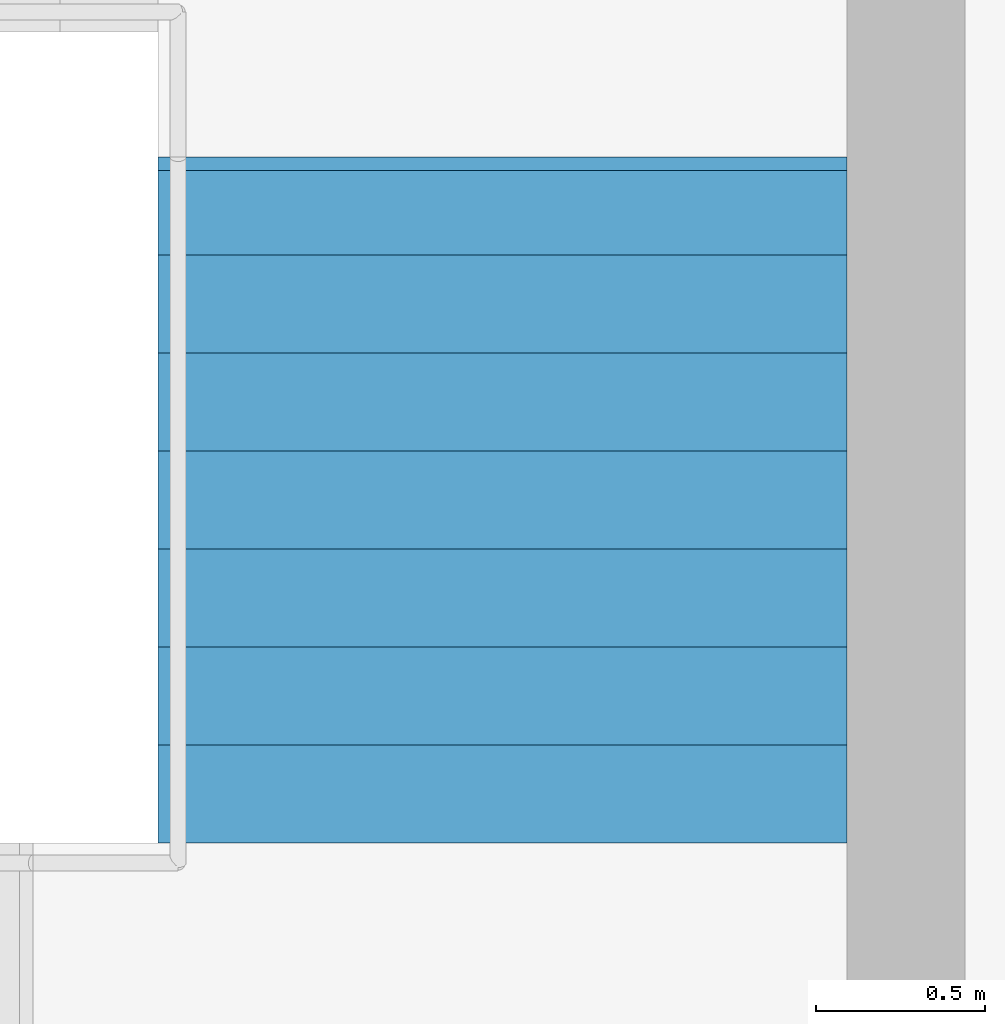
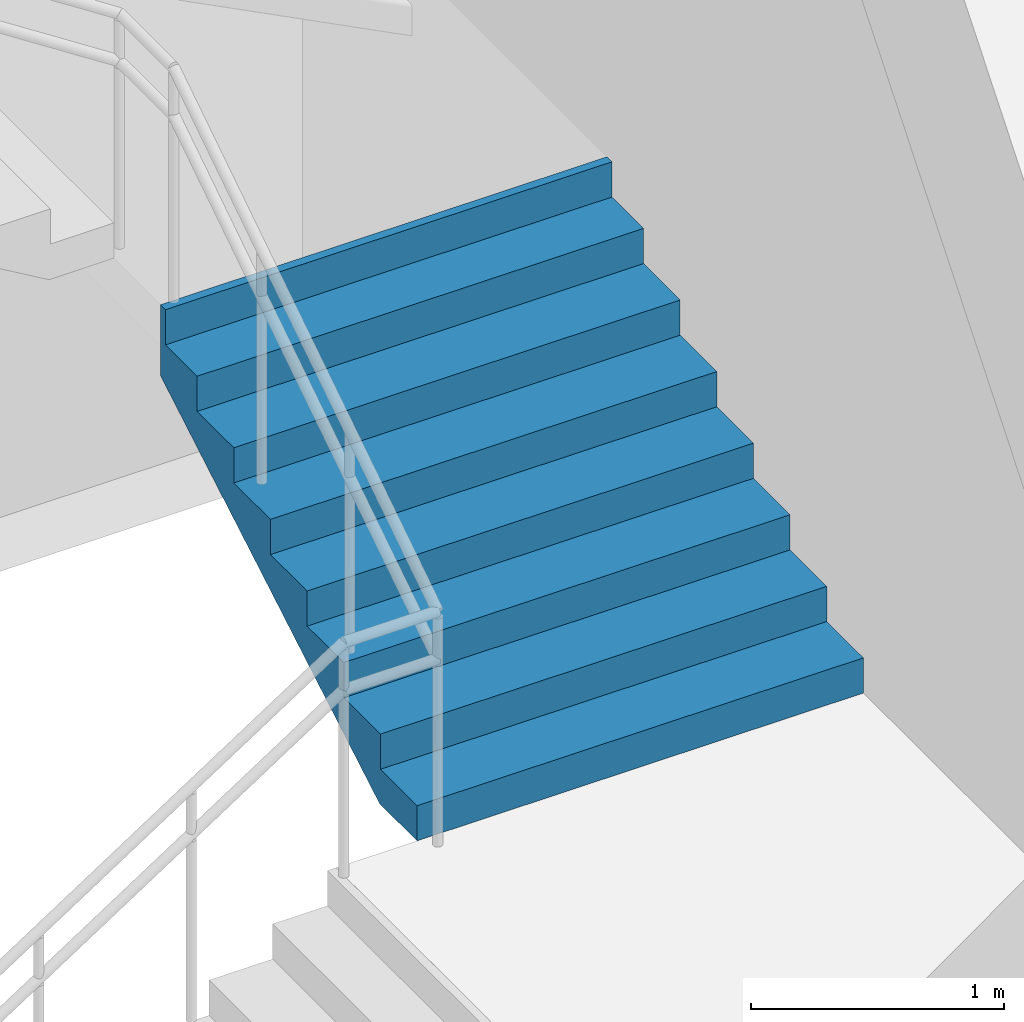
# One storey, part 52 of 74: 1 stair flight, 1 element without a shape of its own.
"""IFC4 building model written with IfcOpenShell, lengths in metres."""

from ifc_helpers import new_model, si_unit, direction, frame, origin, place, context, subcontext, project, spatial, triangles, material, type_object, element, aggregate, save


model = new_model("IFC4")

# Units and contexts
model_context = context("Model", 3, precision=1e-05, world=origin(), true_north=direction((0.0, 1.0)))
body_context = subcontext(model_context, "Body", "Model", "MODEL_VIEW")
ifc_project = project(units=[si_unit("LENGTHUNIT", "METRE"), si_unit("AREAUNIT", "SQUARE_METRE"), si_unit("VOLUMEUNIT", "CUBIC_METRE"), si_unit("PLANEANGLEUNIT", "RADIAN"), si_unit("MASSUNIT", "GRAM", prefix="KILO")], contexts=[model_context])

# Site, building, storey
site_placement = place(None, origin())
site = spatial("IfcSite", under=ifc_project, at=site_placement, CompositionType="ELEMENT")
building_placement = place(site_placement, origin())
building = spatial("IfcBuilding", under=site, at=building_placement, Name="Sillaruma Civic Art Gallery", CompositionType="ELEMENT")
storey_placement = place(building_placement, frame((0.0, 0.0, 5.43994140625)))
storey = spatial("IfcBuildingStorey", under=building, at=storey_placement, Name="L01", CompositionType="ELEMENT", Elevation=5.43994140625)

# Stair, stair flight
ifc_material = material(Name="Concrete H35 (35 MPa)", Category="concrete")
stair_type = type_object("IfcStairType", Name="STR-4F-32", PredefinedType="USERDEFINED", material=ifc_material)
stair_placement = place(storey_placement, origin())
stair = element("IfcStair", 1, at=stair_placement, inside=storey, type_object=stair_type, Name="Protected Exit Stair ST-03 (West Bar South) (L01)", ObjectType="THREE_RETURN_STAIR", PredefinedType="USERDEFINED")
stair_flight_type = type_object("IfcStairFlightType", Name="SFL-STR-8", PredefinedType="STRAIGHT", material=ifc_material)
stair_flight_placement = place(storey_placement, frame((68.219970703125, 33.449951171875, 1.360107421875), z_axis=(0.0, 0.0, 1.0), x_axis=(0.0, 1.0, 0.0)))
stair_flight = element("IfcStairFlight", 2, at=stair_flight_placement, type_object=stair_flight_type, Name="ST-03 flight 2", NumberOfRisers=8, NumberOfTreads=7, PredefinedType="STRAIGHT", RiserHeight=0.17, TreadLength=0.29, context=body_context, shape_type="Tessellation", body=[
    triangles([(0.0, -1.02001953125, 0.0), (0.29, -1.02001953125, 0.0), (0.296443, -1.02001953125, 0.0), (0.58, -1.02001953125, 0.166223), (0.87, -1.02001953125, 0.336223), (1.16, -1.02001953125, 0.506223), (1.45, -1.02001953125, 0.676223), (1.74, -1.02001953125, 0.846223), (1.990029, -1.02001953125, 0.992792), (2.030029, -1.02001953125, 1.01624), (2.030029, -1.02001953125, 1.36), (1.990029, -1.02001953125, 1.36), (1.990029, -1.02001953125, 1.19), (1.74, -1.02001953125, 1.19), (1.74, -1.02001953125, 1.02), (1.45, -1.02001953125, 1.02), (1.45, -1.02001953125, 0.85), (1.16, -1.02001953125, 0.85), (1.16, -1.02001953125, 0.68), (0.87, -1.02001953125, 0.68), (0.87, -1.02001953125, 0.51), (0.58, -1.02001953125, 0.51), (0.58, -1.02001953125, 0.34), (0.296443, -1.02001953125, 0.34), (0.29, -1.02001953125, 0.34), (0.29, -1.02001953125, 0.17), (0.0, -1.02001953125, 0.17), (0.0, -0.05, 0.0), (0.29, -0.05, 0.0), (0.296443, -0.05, 0.0), (0.58, -0.05, 0.166223), (0.87, -0.05, 0.336223), (1.16, -0.05, 0.506223), (1.45, -0.05, 0.676223), (1.74, -0.05, 0.846223), (1.990029, -0.05, 0.992792), (2.030029, -0.05, 1.01624), (2.030029, -0.05, 1.36), (1.990029, -0.05, 1.36), (1.990029, -0.05, 1.19), (1.74, -0.05, 1.19), (1.74, -0.05, 1.02), (1.45, -0.05, 1.02), (1.45, -0.05, 0.85), (1.16, -0.05, 0.85), (1.16, -0.05, 0.68), (0.87, -0.05, 0.68), (0.87, -0.05, 0.51), (0.58, -0.05, 0.51), (0.58, -0.05, 0.34), (0.296443, -0.05, 0.34), (0.29, -0.05, 0.34), (0.29, -0.05, 0.17), (0.0, -0.05, 0.17), (0.0, -0.0375, 0.0), (0.29, -0.0375, 0.0), (0.296443, -0.0375, 0.0), (0.58, -0.0375, 0.166223), (0.87, -0.0375, 0.336223), (1.16, -0.0375, 0.506223), (1.45, -0.0375, 0.676223), (1.74, -0.0375, 0.846223), (1.990029, -0.0375, 0.992792), (2.030029, -0.0375, 1.01624), (2.030029, -0.0375, 1.36), (1.990029, -0.0375, 1.36), (1.990029, -0.0375, 1.19), (1.74, -0.0375, 1.19), (1.74, -0.0375, 1.02), (1.45, -0.0375, 1.02), (1.45, -0.0375, 0.85), (1.16, -0.0375, 0.85), (1.16, -0.0375, 0.68), (0.87, -0.0375, 0.68), (0.87, -0.0375, 0.51), (0.58, -0.0375, 0.51), (0.58, -0.0375, 0.34), (0.296443, -0.0375, 0.34), (0.29, -0.0375, 0.34), (0.29, -0.0375, 0.17), (0.0, -0.0375, 0.17), (0.0, -0.025, 0.0), (0.29, -0.025, 0.0), (0.296443, -0.025, 0.0), (0.58, -0.025, 0.166223), (0.87, -0.025, 0.336223), (1.16, -0.025, 0.506223), (1.45, -0.025, 0.676223), (1.74, -0.025, 0.846223), (1.990029, -0.025, 0.992792), (2.030029, -0.025, 1.01624), (2.030029, -0.025, 1.36), (1.990029, -0.025, 1.36), (1.990029, -0.025, 1.19), (1.74, -0.025, 1.19), (1.74, -0.025, 1.02), (1.45, -0.025, 1.02), (1.45, -0.025, 0.85), (1.16, -0.025, 0.85), (1.16, -0.025, 0.68), (0.87, -0.025, 0.68), (0.87, -0.025, 0.51), (0.58, -0.025, 0.51), (0.58, -0.025, 0.34), (0.296443, -0.025, 0.34), (0.29, -0.025, 0.34), (0.29, -0.025, 0.17), (0.0, -0.025, 0.17), (0.0, -0.0125, 0.0), (0.29, -0.0125, 0.0), (0.296443, -0.0125, 0.0), (0.58, -0.0125, 0.166223), (0.87, -0.0125, 0.336223), (1.16, -0.0125, 0.506223), (1.45, -0.0125, 0.676223), (1.74, -0.0125, 0.846223), (1.990029, -0.0125, 0.992792), (2.030029, -0.0125, 1.01624), (2.030029, -0.0125, 1.36), (1.990029, -0.0125, 1.36), (1.990029, -0.0125, 1.19), (1.74, -0.0125, 1.19), (1.74, -0.0125, 1.02), (1.45, -0.0125, 1.02), (1.45, -0.0125, 0.85), (1.16, -0.0125, 0.85), (1.16, -0.0125, 0.68), (0.87, -0.0125, 0.68), (0.87, -0.0125, 0.51), (0.58, -0.0125, 0.51), (0.58, -0.0125, 0.34), (0.296443, -0.0125, 0.34), (0.29, -0.0125, 0.34), (0.29, -0.0125, 0.17), (0.0, -0.0125, 0.17), (0.0, 0.0, 0.0), (0.29, 0.0, 0.0), (0.296443, 0.0, 0.0), (0.58, 0.0, 0.166223), (0.87, 0.0, 0.336223), (1.16, 0.0, 0.506223), (1.45, 0.0, 0.676223), (1.74, 0.0, 0.846223), (1.990029, 0.0, 0.992792), (2.030029, 0.0, 1.01624), (2.030029, 0.0, 1.36), (1.990029, 0.0, 1.36), (1.990029, 0.0, 1.19), (1.74, 0.0, 1.19), (1.74, 0.0, 1.02), (1.45, 0.0, 1.02), (1.45, 0.0, 0.85), (1.16, 0.0, 0.85), (1.16, 0.0, 0.68), (0.87, 0.0, 0.68), (0.87, 0.0, 0.51), (0.58, 0.0, 0.51), (0.58, 0.0, 0.34), (0.296443, 0.0, 0.34), (0.29, 0.0, 0.34), (0.29, 0.0, 0.17), (0.0, 0.0, 0.17), (0.0, 0.0125, 0.0), (0.29, 0.0125, 0.0), (0.296443, 0.0125, 0.0), (0.58, 0.0125, 0.166223), (0.87, 0.0125, 0.336223), (1.16, 0.0125, 0.506223), (1.45, 0.0125, 0.676223), (1.74, 0.0125, 0.846223), (1.990029, 0.0125, 0.992792), (2.030029, 0.0125, 1.01624), (2.030029, 0.0125, 1.36), (1.990029, 0.0125, 1.36), (1.990029, 0.0125, 1.19), (1.74, 0.0125, 1.19), (1.74, 0.0125, 1.02), (1.45, 0.0125, 1.02), (1.45, 0.0125, 0.85), (1.16, 0.0125, 0.85), (1.16, 0.0125, 0.68), (0.87, 0.0125, 0.68), (0.87, 0.0125, 0.51), (0.58, 0.0125, 0.51), (0.58, 0.0125, 0.34), (0.296443, 0.0125, 0.34), (0.29, 0.0125, 0.34), (0.29, 0.0125, 0.17), (0.0, 0.0125, 0.17), (0.0, 0.025, 0.0), (0.29, 0.025, 0.0), (0.296443, 0.025, 0.0), (0.58, 0.025, 0.166223), (0.87, 0.025, 0.336223), (1.16, 0.025, 0.506223), (1.45, 0.025, 0.676223), (1.74, 0.025, 0.846223), (1.990029, 0.025, 0.992792), (2.030029, 0.025, 1.01624), (2.030029, 0.025, 1.36), (1.990029, 0.025, 1.36), (1.990029, 0.025, 1.19), (1.74, 0.025, 1.19), (1.74, 0.025, 1.02), (1.45, 0.025, 1.02), (1.45, 0.025, 0.85), (1.16, 0.025, 0.85), (1.16, 0.025, 0.68), (0.87, 0.025, 0.68), (0.87, 0.025, 0.51), (0.58, 0.025, 0.51), (0.58, 0.025, 0.34), (0.296443, 0.025, 0.34), (0.29, 0.025, 0.34), (0.29, 0.025, 0.17), (0.0, 0.025, 0.17), (0.0, 0.0375, 0.0), (0.29, 0.0375, 0.0), (0.296443, 0.0375, 0.0), (0.58, 0.0375, 0.166223), (0.87, 0.0375, 0.336223), (1.16, 0.0375, 0.506223), (1.45, 0.0375, 0.676223), (1.74, 0.0375, 0.846223), (1.990029, 0.0375, 0.992792), (2.030029, 0.0375, 1.01624), (2.030029, 0.0375, 1.36), (1.990029, 0.0375, 1.36), (1.990029, 0.0375, 1.19), (1.74, 0.0375, 1.19), (1.74, 0.0375, 1.02), (1.45, 0.0375, 1.02), (1.45, 0.0375, 0.85), (1.16, 0.0375, 0.85), (1.16, 0.0375, 0.68), (0.87, 0.0375, 0.68), (0.87, 0.0375, 0.51), (0.58, 0.0375, 0.51), (0.58, 0.0375, 0.34), (0.296443, 0.0375, 0.34), (0.29, 0.0375, 0.34), (0.29, 0.0375, 0.17), (0.0, 0.0375, 0.17), (0.0, 0.05, 0.0), (0.29, 0.05, 0.0), (0.296443, 0.05, 0.0), (0.58, 0.05, 0.166223), (0.87, 0.05, 0.336223), (1.16, 0.05, 0.506223), (1.45, 0.05, 0.676223), (1.74, 0.05, 0.846223), (1.990029, 0.05, 0.992792), (2.030029, 0.05, 1.01624), (2.030029, 0.05, 1.36), (1.990029, 0.05, 1.36), (1.990029, 0.05, 1.19), (1.74, 0.05, 1.19), (1.74, 0.05, 1.02), (1.45, 0.05, 1.02), (1.45, 0.05, 0.85), (1.16, 0.05, 0.85), (1.16, 0.05, 0.68), (0.87, 0.05, 0.68), (0.87, 0.05, 0.51), (0.58, 0.05, 0.51), (0.58, 0.05, 0.34), (0.296443, 0.05, 0.34), (0.29, 0.05, 0.34), (0.29, 0.05, 0.17), (0.0, 0.05, 0.17), (0.0, 1.02001953125, 0.0), (0.29, 1.02001953125, 0.0), (0.296443, 1.02001953125, 0.0), (0.58, 1.02001953125, 0.166223), (0.87, 1.02001953125, 0.336223), (1.16, 1.02001953125, 0.506223), (1.45, 1.02001953125, 0.676223), (1.74, 1.02001953125, 0.846223), (1.990029, 1.02001953125, 0.992792), (2.030029, 1.02001953125, 1.01624), (2.030029, 1.02001953125, 1.36), (1.990029, 1.02001953125, 1.36), (1.990029, 1.02001953125, 1.19), (1.74, 1.02001953125, 1.19), (1.74, 1.02001953125, 1.02), (1.45, 1.02001953125, 1.02), (1.45, 1.02001953125, 0.85), (1.16, 1.02001953125, 0.85), (1.16, 1.02001953125, 0.68), (0.87, 1.02001953125, 0.68), (0.87, 1.02001953125, 0.51), (0.58, 1.02001953125, 0.51), (0.58, 1.02001953125, 0.34), (0.296443, 1.02001953125, 0.34), (0.29, 1.02001953125, 0.34), (0.29, 1.02001953125, 0.17), (0.0, 1.02001953125, 0.17)], [[1, 2, 26], [1, 26, 27], [2, 3, 24], [2, 24, 26], [26, 24, 25], [3, 4, 23], [3, 23, 24], [4, 5, 21], [4, 21, 23], [23, 21, 22], [5, 6, 19], [5, 19, 21], [21, 19, 20], [6, 7, 17], [6, 17, 19], [19, 17, 18], [7, 8, 15], [7, 15, 17], [17, 15, 16], [8, 9, 13], [8, 13, 15], [15, 13, 14], [9, 10, 11], [9, 11, 13], [13, 11, 12], [296, 272, 271], [297, 296, 271], [294, 273, 272], [296, 294, 272], [295, 294, 296], [293, 274, 273], [294, 293, 273], [291, 275, 274], [293, 291, 274], [292, 291, 293], [289, 276, 275], [291, 289, 275], [290, 289, 291], [287, 277, 276], [289, 287, 276], [288, 287, 289], [285, 278, 277], [287, 285, 277], [286, 285, 287], [283, 279, 278], [285, 283, 278], [284, 283, 285], [281, 280, 279], [283, 281, 279], [282, 281, 283], [2, 1, 28], [2, 28, 29], [3, 2, 29], [3, 29, 30], [4, 3, 30], [4, 30, 31], [5, 4, 31], [5, 31, 32], [6, 5, 32], [6, 32, 33], [7, 6, 33], [7, 33, 34], [8, 7, 34], [8, 34, 35], [9, 8, 35], [9, 35, 36], [10, 9, 36], [10, 36, 37], [11, 10, 37], [11, 37, 38], [12, 11, 38], [12, 38, 39], [13, 12, 39], [13, 39, 40], [14, 13, 40], [14, 40, 41], [15, 14, 41], [15, 41, 42], [16, 15, 42], [16, 42, 43], [17, 16, 43], [17, 43, 44], [18, 17, 44], [18, 44, 45], [19, 18, 45], [19, 45, 46], [20, 19, 46], [20, 46, 47], [21, 20, 47], [21, 47, 48], [22, 21, 48], [22, 48, 49], [23, 22, 49], [23, 49, 50], [24, 23, 50], [24, 50, 51], [25, 24, 51], [25, 51, 52], [26, 25, 52], [26, 52, 53], [27, 26, 53], [27, 53, 54], [1, 27, 54], [1, 54, 28], [29, 28, 55], [29, 55, 56], [30, 29, 56], [30, 56, 57], [31, 30, 57], [31, 57, 58], [32, 31, 58], [32, 58, 59], [33, 32, 59], [33, 59, 60], [34, 33, 60], [34, 60, 61], [35, 34, 61], [35, 61, 62], [36, 35, 62], [36, 62, 63], [37, 36, 63], [37, 63, 64], [38, 37, 64], [38, 64, 65], [39, 38, 65], [39, 65, 66], [40, 39, 66], [40, 66, 67], [41, 40, 67], [41, 67, 68], [42, 41, 68], [42, 68, 69], [43, 42, 69], [43, 69, 70], [44, 43, 70], [44, 70, 71], [45, 44, 71], [45, 71, 72], [46, 45, 72], [46, 72, 73], [47, 46, 73], [47, 73, 74], [48, 47, 74], [48, 74, 75], [49, 48, 75], [49, 75, 76], [50, 49, 76], [50, 76, 77], [51, 50, 77], [51, 77, 78], [52, 51, 78], [52, 78, 79], [53, 52, 79], [53, 79, 80], [54, 53, 80], [54, 80, 81], [28, 54, 81], [28, 81, 55], [56, 55, 82], [56, 82, 83], [57, 56, 83], [57, 83, 84], [58, 57, 84], [58, 84, 85], [59, 58, 85], [59, 85, 86], [60, 59, 86], [60, 86, 87], [61, 60, 87], [61, 87, 88], [62, 61, 88], [62, 88, 89], [63, 62, 89], [63, 89, 90], [64, 63, 90], [64, 90, 91], [65, 64, 91], [65, 91, 92], [66, 65, 92], [66, 92, 93], [67, 66, 93], [67, 93, 94], [68, 67, 94], [68, 94, 95], [69, 68, 95], [69, 95, 96], [70, 69, 96], [70, 96, 97], [71, 70, 97], [71, 97, 98], [72, 71, 98], [72, 98, 99], [73, 72, 99], [73, 99, 100], [74, 73, 100], [74, 100, 101], [75, 74, 101], [75, 101, 102], [76, 75, 102], [76, 102, 103], [77, 76, 103], [77, 103, 104], [78, 77, 104], [78, 104, 105], [79, 78, 105], [79, 105, 106], [80, 79, 106], [80, 106, 107], [81, 80, 107], [81, 107, 108], [55, 81, 108], [55, 108, 82], [83, 82, 109], [83, 109, 110], [84, 83, 110], [84, 110, 111], [85, 84, 111], [85, 111, 112], [86, 85, 112], [86, 112, 113], [87, 86, 113], [87, 113, 114], [88, 87, 114], [88, 114, 115], [89, 88, 115], [89, 115, 116], [90, 89, 116], [90, 116, 117], [91, 90, 117], [91, 117, 118], [92, 91, 118], [92, 118, 119], [93, 92, 119], [93, 119, 120], [94, 93, 120], [94, 120, 121], [95, 94, 121], [95, 121, 122], [96, 95, 122], [96, 122, 123], [97, 96, 123], [97, 123, 124], [98, 97, 124], [98, 124, 125], [99, 98, 125], [99, 125, 126], [100, 99, 126], [100, 126, 127], [101, 100, 127], [101, 127, 128], [102, 101, 128], [102, 128, 129], [103, 102, 129], [103, 129, 130], [104, 103, 130], [104, 130, 131], [105, 104, 131], [105, 131, 132], [106, 105, 132], [106, 132, 133], [107, 106, 133], [107, 133, 134], [108, 107, 134], [108, 134, 135], [82, 108, 135], [82, 135, 109], [110, 109, 136], [110, 136, 137], [111, 110, 137], [111, 137, 138], [112, 111, 138], [112, 138, 139], [113, 112, 139], [113, 139, 140], [114, 113, 140], [114, 140, 141], [115, 114, 141], [115, 141, 142], [116, 115, 142], [116, 142, 143], [117, 116, 143], [117, 143, 144], [118, 117, 144], [118, 144, 145], [119, 118, 145], [119, 145, 146], [120, 119, 146], [120, 146, 147], [121, 120, 147], [121, 147, 148], [122, 121, 148], [122, 148, 149], [123, 122, 149], [123, 149, 150], [124, 123, 150], [124, 150, 151], [125, 124, 151], [125, 151, 152], [126, 125, 152], [126, 152, 153], [127, 126, 153], [127, 153, 154], [128, 127, 154], [128, 154, 155], [129, 128, 155], [129, 155, 156], [130, 129, 156], [130, 156, 157], [131, 130, 157], [131, 157, 158], [132, 131, 158], [132, 158, 159], [133, 132, 159], [133, 159, 160], [134, 133, 160], [134, 160, 161], [135, 134, 161], [135, 161, 162], [109, 135, 162], [109, 162, 136], [137, 136, 163], [137, 163, 164], [138, 137, 164], [138, 164, 165], [139, 138, 165], [139, 165, 166], [140, 139, 166], [140, 166, 167], [141, 140, 167], [141, 167, 168], [142, 141, 168], [142, 168, 169], [143, 142, 169], [143, 169, 170], [144, 143, 170], [144, 170, 171], [145, 144, 171], [145, 171, 172], [146, 145, 172], [146, 172, 173], [147, 146, 173], [147, 173, 174], [148, 147, 174], [148, 174, 175], [149, 148, 175], [149, 175, 176], [150, 149, 176], [150, 176, 177], [151, 150, 177], [151, 177, 178], [152, 151, 178], [152, 178, 179], [153, 152, 179], [153, 179, 180], [154, 153, 180], [154, 180, 181], [155, 154, 181], [155, 181, 182], [156, 155, 182], [156, 182, 183], [157, 156, 183], [157, 183, 184], [158, 157, 184], [158, 184, 185], [159, 158, 185], [159, 185, 186], [160, 159, 186], [160, 186, 187], [161, 160, 187], [161, 187, 188], [162, 161, 188], [162, 188, 189], [136, 162, 189], [136, 189, 163], [164, 163, 190], [164, 190, 191], [165, 164, 191], [165, 191, 192], [166, 165, 192], [166, 192, 193], [167, 166, 193], [167, 193, 194], [168, 167, 194], [168, 194, 195], [169, 168, 195], [169, 195, 196], [170, 169, 196], [170, 196, 197], [171, 170, 197], [171, 197, 198], [172, 171, 198], [172, 198, 199], [173, 172, 199], [173, 199, 200], [174, 173, 200], [174, 200, 201], [175, 174, 201], [175, 201, 202], [176, 175, 202], [176, 202, 203], [177, 176, 203], [177, 203, 204], [178, 177, 204], [178, 204, 205], [179, 178, 205], [179, 205, 206], [180, 179, 206], [180, 206, 207], [181, 180, 207], [181, 207, 208], [182, 181, 208], [182, 208, 209], [183, 182, 209], [183, 209, 210], [184, 183, 210], [184, 210, 211], [185, 184, 211], [185, 211, 212], [186, 185, 212], [186, 212, 213], [187, 186, 213], [187, 213, 214], [188, 187, 214], [188, 214, 215], [189, 188, 215], [189, 215, 216], [163, 189, 216], [163, 216, 190], [191, 190, 217], [191, 217, 218], [192, 191, 218], [192, 218, 219], [193, 192, 219], [193, 219, 220], [194, 193, 220], [194, 220, 221], [195, 194, 221], [195, 221, 222], [196, 195, 222], [196, 222, 223], [197, 196, 223], [197, 223, 224], [198, 197, 224], [198, 224, 225], [199, 198, 225], [199, 225, 226], [200, 199, 226], [200, 226, 227], [201, 200, 227], [201, 227, 228], [202, 201, 228], [202, 228, 229], [203, 202, 229], [203, 229, 230], [204, 203, 230], [204, 230, 231], [205, 204, 231], [205, 231, 232], [206, 205, 232], [206, 232, 233], [207, 206, 233], [207, 233, 234], [208, 207, 234], [208, 234, 235], [209, 208, 235], [209, 235, 236], [210, 209, 236], [210, 236, 237], [211, 210, 237], [211, 237, 238], [212, 211, 238], [212, 238, 239], [213, 212, 239], [213, 239, 240], [214, 213, 240], [214, 240, 241], [215, 214, 241], [215, 241, 242], [216, 215, 242], [216, 242, 243], [190, 216, 243], [190, 243, 217], [218, 217, 244], [218, 244, 245], [219, 218, 245], [219, 245, 246], [220, 219, 246], [220, 246, 247], [221, 220, 247], [221, 247, 248], [222, 221, 248], [222, 248, 249], [223, 222, 249], [223, 249, 250], [224, 223, 250], [224, 250, 251], [225, 224, 251], [225, 251, 252], [226, 225, 252], [226, 252, 253], [227, 226, 253], [227, 253, 254], [228, 227, 254], [228, 254, 255], [229, 228, 255], [229, 255, 256], [230, 229, 256], [230, 256, 257], [231, 230, 257], [231, 257, 258], [232, 231, 258], [232, 258, 259], [233, 232, 259], [233, 259, 260], [234, 233, 260], [234, 260, 261], [235, 234, 261], [235, 261, 262], [236, 235, 262], [236, 262, 263], [237, 236, 263], [237, 263, 264], [238, 237, 264], [238, 264, 265], [239, 238, 265], [239, 265, 266], [240, 239, 266], [240, 266, 267], [241, 240, 267], [241, 267, 268], [242, 241, 268], [242, 268, 269], [243, 242, 269], [243, 269, 270], [217, 243, 270], [217, 270, 244], [245, 244, 271], [245, 271, 272], [246, 245, 272], [246, 272, 273], [247, 246, 273], [247, 273, 274], [248, 247, 274], [248, 274, 275], [249, 248, 275], [249, 275, 276], [250, 249, 276], [250, 276, 277], [251, 250, 277], [251, 277, 278], [252, 251, 278], [252, 278, 279], [253, 252, 279], [253, 279, 280], [254, 253, 280], [254, 280, 281], [255, 254, 281], [255, 281, 282], [256, 255, 282], [256, 282, 283], [257, 256, 283], [257, 283, 284], [258, 257, 284], [258, 284, 285], [259, 258, 285], [259, 285, 286], [260, 259, 286], [260, 286, 287], [261, 260, 287], [261, 287, 288], [262, 261, 288], [262, 288, 289], [263, 262, 289], [263, 289, 290], [264, 263, 290], [264, 290, 291], [265, 264, 291], [265, 291, 292], [266, 265, 292], [266, 292, 293], [267, 266, 293], [267, 293, 294], [268, 267, 294], [268, 294, 295], [269, 268, 295], [269, 295, 296], [270, 269, 296], [270, 296, 297], [244, 270, 297], [244, 297, 271]], closed=True),
])
aggregate(stair, [stair_flight])

save(model, "model.ifc")
